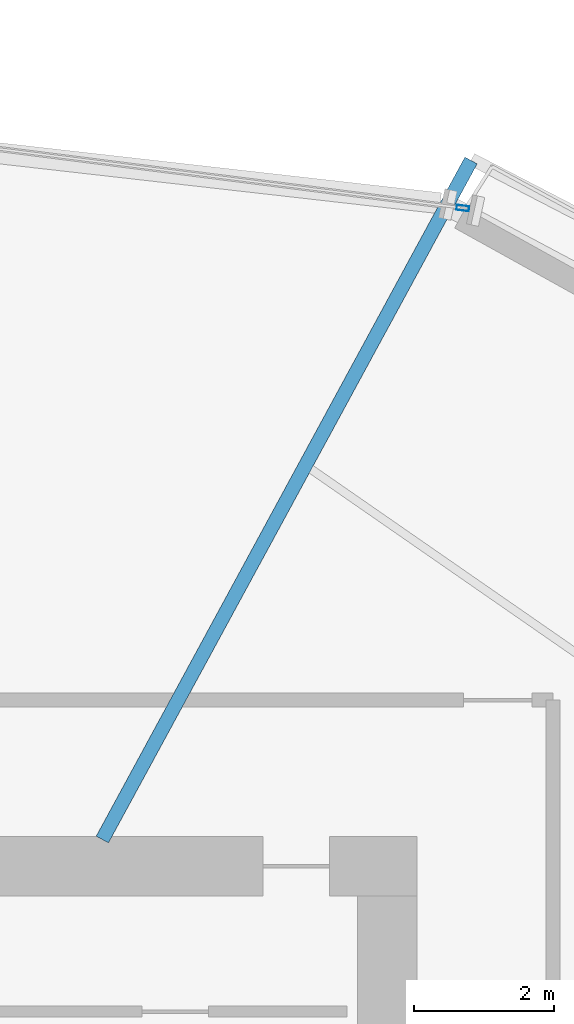
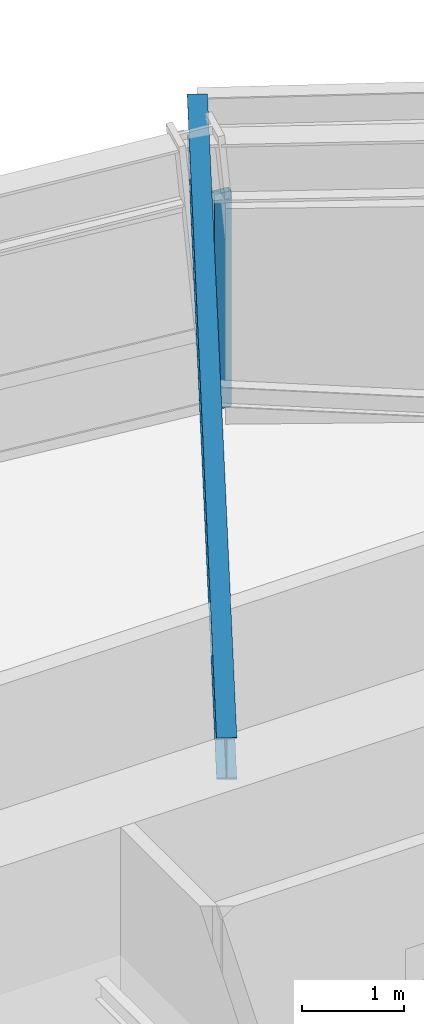
# One storey, part 9 of 22: 1 beam, 1 member, 1 element without a shape of its own.
"""IFC4 building model written with IfcOpenShell, lengths in metres."""

from ifc_helpers import new_model, si_unit, direction, frame, origin, origin_2d, place, context, subcontext, project, spatial, hollow_rectangle, i_section, extrude, source, transform, mapped, material, material_profile, profile_set, type_object, element, aggregate, save


model = new_model("IFC4")

# Units and contexts
model_context = context("Model", 3, precision=1e-05, world=origin(), true_north=direction((0.0, 1.0)))
body_context = subcontext(model_context, "Body", "Model", "MODEL_VIEW")
ifc_project = project(units=[si_unit("LENGTHUNIT", "METRE"), si_unit("AREAUNIT", "SQUARE_METRE"), si_unit("VOLUMEUNIT", "CUBIC_METRE"), si_unit("PLANEANGLEUNIT", "RADIAN"), si_unit("MASSUNIT", "GRAM", prefix="KILO")], contexts=[model_context])

# Site, building, storey
site_placement = place(None, origin())
site = spatial("IfcSite", under=ifc_project, at=site_placement, CompositionType="ELEMENT")
building_placement = place(site_placement, origin())
building = spatial("IfcBuilding", under=site, at=building_placement, Name="Olszyna Solenne Hotel", CompositionType="ELEMENT")
storey_placement = place(building_placement, frame((0.0, 0.0, 57.699951171875)))
storey = spatial("IfcBuildingStorey", under=building, at=storey_placement, Name="L14", CompositionType="ELEMENT", Elevation=57.699951171875)

# Beam
ifc_material_1 = material(Name="Steel S355J2", Category="steel")
ifc_material_profile_1 = material_profile(ifc_material_1, i_section(OverallWidth=0.199951171875, OverallDepth=0.5, WebThickness=0.01025390625, FlangeThickness=0.01611328125, at=origin_2d()), Name="IPE 500", Category="load-bearing")
ifc_profile_set_1 = profile_set([ifc_material_profile_1], Name="Steel S355J2")
beam_type = type_object("IfcBeamType", Name="BM-F3", PredefinedType="BEAM", material=ifc_profile_set_1)
shared_shape_1 = source(origin(), body_context, "Body", "SweptSolid", [
    extrude(i_section(OverallWidth=0.199951171875, OverallDepth=0.5, WebThickness=0.01025390625, FlangeThickness=0.01611328125, at=origin_2d()), origin(), (0.0, 0.0, 1.0), 11.0498046875),
])
beam_placement = place(storey_placement, frame((47.526123046875, 44.216796875, 3.050048828125), z_axis=(-0.477174749956, -0.878808430777, 0.0), x_axis=(0.878808430777, -0.477174749956, 0.0)))
element("IfcBeam", 1, at=beam_placement, inside=storey, type_object=beam_type, Name="Radial floor girder BM-F3 B-L14-0450", PredefinedType="BEAM", context=body_context, shape_type="MappedRepresentation", body=[
    mapped(shared_shape_1, transform((0.0, 0.0, 0.0), x_axis=(1.0, 0.0, 0.0), y_axis=(0.0, 1.0, 0.0), z_axis=(0.0, 0.0, 1.0), scale=1.0)),
])

# Curtain wall, member
ifc_material_2 = material(Name="Anodised bronze aluminium", Category="aluminium")
curtain_wall_type = type_object("IfcCurtainWallType", Name="CW-SYS-2", PredefinedType="NOTDEFINED", material=ifc_material_2)
curtain_wall_placement = place(storey_placement, origin())
curtain_wall = element("IfcCurtainWall", 2, at=curtain_wall_placement, inside=storey, type_object=curtain_wall_type, Name="Unitised curtain wall CW-SYS-2 CW-L14-02", PredefinedType="NOTDEFINED")
ifc_material_profile_2 = material_profile(ifc_material_2, hollow_rectangle(XDim=0.074951171875, YDim=0.179931640625, WallThickness=0.00439453125, at=origin_2d()), Name="MULL 180x75x4.5", Category="load-bearing")
ifc_profile_set_2 = profile_set([ifc_material_profile_2], Name="Anodised bronze aluminium")
member_type = type_object("IfcMemberType", Name="CW-M2", PredefinedType="MULLION", material=ifc_profile_set_2)
shared_shape_2 = source(origin(), body_context, "Body", "SweptSolid", [
    extrude(hollow_rectangle(XDim=0.074951171875, YDim=0.179931640625, WallThickness=0.00439453125, at=origin_2d()), origin(), (0.0, 0.0, 1.0), 2.592041015625),
])
member_placement = place(storey_placement, frame((47.4091796875, 43.5361328125, 0.0), z_axis=(0.0, 0.0, 1.0), x_axis=(0.126307576424, 0.991991127046, 0.0)))
member = element("IfcMember", 3, at=member_placement, type_object=member_type, Name="Curtain-wall mullion CW-M2 CM-L14-02-04", PredefinedType="MULLION", context=body_context, shape_type="MappedRepresentation", body=[
    mapped(shared_shape_2, transform((0.0, 0.0, 0.0), x_axis=(1.0, 0.0, 0.0), y_axis=(0.0, 1.0, 0.0), z_axis=(0.0, 0.0, 1.0), scale=1.0)),
])
aggregate(curtain_wall, [member])

save(model, "model.ifc")
